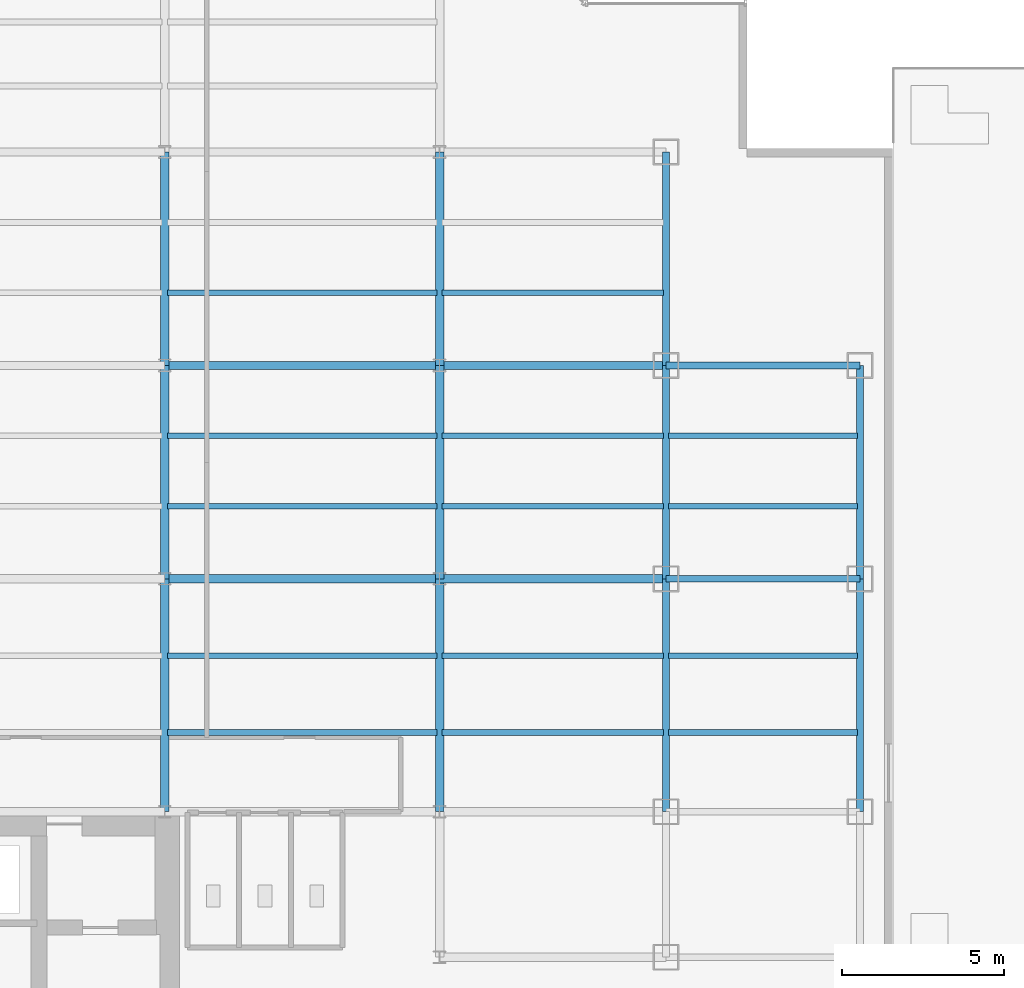
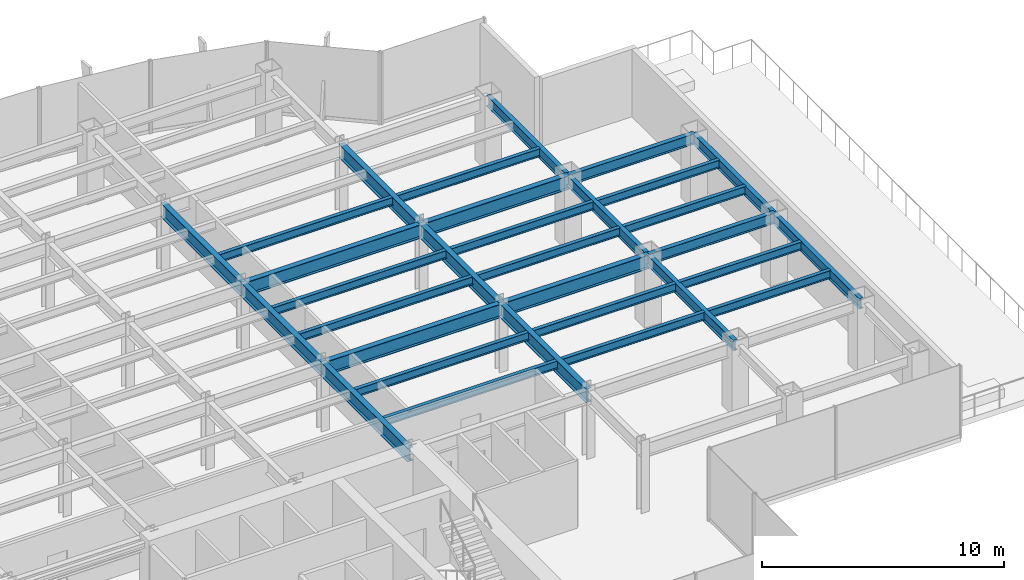
# One storey, part 11 of 25: 31 beams.
"""IFC4 building model written with IfcOpenShell, lengths in metres."""

import ifcopenshell
import ifcopenshell.guid

model = None  # the IFC model being written
_history = None  # IfcOwnerHistory: only IFC2X3 demands one
_inside = {}  # id of a spatial element -> (the spatial element, [elements in it])
_under = {}  # id of a project, library or spatial element -> (it, [spatial elements below it])
_declared = {}  # id of a project -> (the project, [libraries it declares])
_typed = {}  # id of a type object -> (the type object, [elements of that type])
_made_of = {}  # id of a material, layer set ... -> (it, [elements and type objects made of it])


def new_model(schema):
    """Start an empty IFC model of exactly this schema.

    Asked for "IFC4X3", IfcOpenShell would pick the latest addendum, in which some entities
    have other attributes; the version numbers below select the first issue.
    IFC2X3 requires an IfcOwnerHistory on every rooted entity: one is made here for all.
    """
    global model, _history
    if schema == "IFC4X3":
        model = ifcopenshell.file(schema_version=(4, 3, 0, 0))
    else:
        model = ifcopenshell.file(schema=schema)
    _inside.clear()
    _under.clear()
    _declared.clear()
    _typed.clear()
    _made_of.clear()
    _history = None
    if model.schema == "IFC2X3":
        org = make("IfcOrganization", Name="unknown")
        user = make(
            "IfcPersonAndOrganization",
            ThePerson=make("IfcPerson", FamilyName="unknown"),
            TheOrganization=org,
        )
        app = make(
            "IfcApplication",
            ApplicationDeveloper=org,
            Version="unknown",
            ApplicationFullName="unknown",
            ApplicationIdentifier="unknown",
        )
        _history = make(
            "IfcOwnerHistory",
            OwningUser=user,
            OwningApplication=app,
            ChangeAction="ADDED",
            CreationDate=0,
        )
    return model


def make(cls, **values):
    """One entity of the class cls with the attributes given. An attribute that is None is left unset."""
    return model.create_entity(
        cls, **{name: value for name, value in values.items() if value is not None}
    )


def rooted(cls, **values):
    """An entity with a GlobalId (a new one), such as an element, a storey or a relation."""
    return make(cls, GlobalId=ifcopenshell.guid.new(), OwnerHistory=_history, **values)


def si_unit(unit_type, name, prefix=None):
    """IfcSIUnit, for example si_unit("LENGTHUNIT", "METRE", prefix="MILLI")."""
    return make("IfcSIUnit", UnitType=unit_type, Prefix=prefix, Name=name)


def derived_unit(unit_type, elements):
    """IfcDerivedUnit: a product of units, each with its exponent."""
    return make(
        "IfcDerivedUnit",
        Elements=[
            make("IfcDerivedUnitElement", Unit=unit, Exponent=power)
            for unit, power in elements
        ],
        UnitType=unit_type,
    )


def assignment(units):
    """IfcUnitAssignment: the units of a project."""
    return None if units is None else make("IfcUnitAssignment", Units=units)


def point(xyz):
    """IfcCartesianPoint."""
    return None if xyz is None else make("IfcCartesianPoint", Coordinates=xyz)


def direction(xyz):
    """IfcDirection."""
    return None if xyz is None else make("IfcDirection", DirectionRatios=xyz)


def frame(location, z_axis=None, x_axis=None):
    """IfcAxis2Placement3D, a coordinate frame: its origin and axes. An axis left out is left unset."""
    return make(
        "IfcAxis2Placement3D",
        Location=point(location),
        Axis=direction(z_axis),
        RefDirection=direction(x_axis),
    )


def frame_2d(location, x_axis=None):
    """IfcAxis2Placement2D, a coordinate frame in the plane: its origin and x axis."""
    return make(
        "IfcAxis2Placement2D", Location=point(location), RefDirection=direction(x_axis)
    )


def origin():
    """The frame at (0, 0, 0) with its axes left unset."""
    return frame((0.0, 0.0, 0.0))


def origin_2d():
    """The frame at (0, 0) in the plane with its x axis left unset."""
    return frame_2d((0.0, 0.0))


def place(relative_to, where):
    """IfcLocalPlacement: puts the frame where relative to a parent placement (None: the world)."""
    return make(
        "IfcLocalPlacement", PlacementRelTo=relative_to, RelativePlacement=where
    )


def context(
    kind, dimensions, precision=None, world=None, true_north=None, identifier=None
):
    """IfcGeometricRepresentationContext, for example the 3D "Model" context."""
    return make(
        "IfcGeometricRepresentationContext",
        ContextIdentifier=identifier,
        ContextType=kind,
        CoordinateSpaceDimension=dimensions,
        Precision=precision,
        WorldCoordinateSystem=world,
        TrueNorth=true_north,
    )


def subcontext(parent, identifier, kind, view, scale=None):
    """IfcGeometricRepresentationSubContext, for example "Body" below "Model"."""
    return make(
        "IfcGeometricRepresentationSubContext",
        ContextIdentifier=identifier,
        ContextType=kind,
        ParentContext=parent,
        TargetScale=scale,
        TargetView=view,
    )


def project(units=None, contexts=None):
    """IfcProject with its units and contexts."""
    return rooted(
        "IfcProject",
        Name="project",
        RepresentationContexts=contexts,
        UnitsInContext=assignment(units),
    )


def spatial(cls, under=None, at=None, **own):
    """A site, building, storey or space (cls), placed at a placement, below another one or the project."""
    s = rooted(cls, ObjectPlacement=at, **own)
    if under is not None:
        _under.setdefault(under.id(), (under, []))[1].append(s)
    return s


def profile(cls, at=None, kind="AREA", **sizes):
    """A parametric profile (cls). Its sizes go by their IFC names, for example OverallWidth=200.0."""
    return make(cls, ProfileType=kind, Position=at, **sizes)


def i_section(**sizes):
    """IfcIShapeProfileDef."""
    return profile("IfcIShapeProfileDef", **sizes)


def extrude(swept, where, along, depth):
    """IfcExtrudedAreaSolid: the profile swept, set in the frame where, extruded along a direction by depth."""
    return make(
        "IfcExtrudedAreaSolid",
        SweptArea=swept,
        Position=where,
        ExtrudedDirection=direction(along),
        Depth=depth,
    )


def shape(context_of_items, identifier, shape_type, items):
    """IfcShapeRepresentation: the items that make up one representation, for example the "Body"."""
    return make(
        "IfcShapeRepresentation",
        ContextOfItems=context_of_items,
        RepresentationIdentifier=identifier,
        RepresentationType=shape_type,
        Items=items,
    )


def source(mapping_origin, context_of_items, identifier, shape_type, items):
    """IfcRepresentationMap: a shape defined once, which mapped items show again and again."""
    return make(
        "IfcRepresentationMap",
        MappingOrigin=mapping_origin,
        MappedRepresentation=shape(context_of_items, identifier, shape_type, items),
    )


def transform(
    local_origin,
    x_axis=None,
    y_axis=None,
    z_axis=None,
    scale=None,
    scale2=None,
    scale3=None,
    uniform=True,
):
    """IfcCartesianTransformationOperator3D, or its non-uniform kind. x_axis, y_axis, z_axis: its Axis1, 2, 3."""
    if uniform:
        return make(
            "IfcCartesianTransformationOperator3D",
            Axis1=direction(x_axis),
            Axis2=direction(y_axis),
            LocalOrigin=point(local_origin),
            Scale=scale,
            Axis3=direction(z_axis),
        )
    return make(
        "IfcCartesianTransformationOperator3DnonUniform",
        Axis1=direction(x_axis),
        Axis2=direction(y_axis),
        LocalOrigin=point(local_origin),
        Scale=scale,
        Axis3=direction(z_axis),
        Scale2=scale2,
        Scale3=scale3,
    )


def mapped(mapping_source, mapping_target):
    """IfcMappedItem: shows the shape of a source again, moved by a transform."""
    return make(
        "IfcMappedItem", MappingSource=mapping_source, MappingTarget=mapping_target
    )


def material(Name=None, Category=None):
    """IfcMaterial."""
    return make("IfcMaterial", Name=Name, Category=Category)


def material_profile(
    of_material, cross_section, Name=None, Category=None, Priority=None
):
    """IfcMaterialProfile: a cross section and its material."""
    return make(
        "IfcMaterialProfile",
        Name=Name,
        Material=of_material,
        Profile=cross_section,
        Priority=Priority,
        Category=Category,
    )


def profile_set(profiles, Name=None, composite=None):
    """IfcMaterialProfileSet."""
    return make(
        "IfcMaterialProfileSet",
        Name=Name,
        MaterialProfiles=profiles,
        CompositeProfile=composite,
    )


def made_of(thing, what):
    """Note that an element or type object is made of a material, layer set ...; save() writes the relation."""
    if what is not None:
        _made_of.setdefault(what.id(), (what, []))[1].append(thing)
    return thing


def type_object(cls, material=None, **own):
    """A type object (cls), such as IfcWallType, which elements share."""
    return made_of(rooted(cls, **own), material)


def element(
    cls,
    number,
    at=None,
    inside=None,
    cuts=None,
    type_object=None,
    material=None,
    context=None,
    identifier="Body",
    shape_type=None,
    held_by="IfcProductDefinitionShape",
    body=None,
    shapes=None,
    **own,
):
    """One element of the class cls, such as IfcWall. Its Tag is "e" and its number.

    at: its placement. inside: the storey or other place that contains it. cuts: it is an
    opening in that element (IfcRelVoidsElement). A single representation is given by context,
    identifier, shape_type and body (its items); several are given by shapes. held_by: the class
    of the entity that holds the representations. save() writes the other relations.
    """
    e = rooted(cls, Tag="e%d" % number, ObjectPlacement=at, **own)
    if body is not None:
        shapes = [shape(context, identifier, shape_type, body)]
    if shapes is not None:
        e.Representation = make(held_by, Representations=shapes)
    if inside is not None:
        _inside.setdefault(inside.id(), (inside, []))[1].append(e)
    if cuts is not None:
        rooted(
            "IfcRelVoidsElement", RelatingBuildingElement=cuts, RelatedOpeningElement=e
        )
    if type_object is not None:
        _typed.setdefault(type_object.id(), (type_object, []))[1].append(e)
    return made_of(e, material)


def aggregate(whole, parts):
    """IfcRelAggregates: a whole, such as a stair, and the parts it consists of."""
    return rooted("IfcRelAggregates", RelatingObject=whole, RelatedObjects=parts)


def save(model, path):
    """Write the relations noted so far, then the file.

    IfcRelAggregates (storeys below a building ...), IfcRelContainedInSpatialStructure (elements
    in a storey), IfcRelDefinesByType, IfcRelAssociatesMaterial and IfcRelDeclares: one each for
    every whole, place, type object, material and project.
    """
    for whole, parts in _under.values():
        aggregate(whole, parts)
    for where, things in _inside.values():
        rooted(
            "IfcRelContainedInSpatialStructure",
            RelatedElements=things,
            RelatingStructure=where,
        )
    for kind, things in _typed.values():
        rooted("IfcRelDefinesByType", RelatedObjects=things, RelatingType=kind)
    for what, things in _made_of.values():
        rooted("IfcRelAssociatesMaterial", RelatedObjects=things, RelatingMaterial=what)
    for by, libraries in _declared.values():
        rooted("IfcRelDeclares", RelatingContext=by, RelatedDefinitions=libraries)
    model.write(path)


model = new_model("IFC4")

# Units and contexts
model_context = context("Model", 3, precision=1e-05, world=origin(), true_north=direction((0.0, 1.0)))
body_context = subcontext(model_context, "Body", "Model", "MODEL_VIEW")
ifc_project = project(units=[si_unit("LENGTHUNIT", "METRE"), si_unit("AREAUNIT", "SQUARE_METRE"), si_unit("VOLUMEUNIT", "CUBIC_METRE"), si_unit("PLANEANGLEUNIT", "RADIAN"), si_unit("MASSUNIT", "GRAM", prefix="KILO"), derived_unit("THERMALTRANSMITTANCEUNIT", [(si_unit("POWERUNIT", "WATT"), 1), (si_unit("LENGTHUNIT", "METRE"), -2), (si_unit("THERMODYNAMICTEMPERATUREUNIT", "KELVIN"), -1)])], contexts=[model_context])

# Site, building, storey
site_placement = place(None, origin())
site = spatial("IfcSite", under=ifc_project, at=site_placement, CompositionType="ELEMENT")
building_placement = place(site_placement, origin())
building = spatial("IfcBuilding", under=site, at=building_placement, Name="Skarnbrae Concourse Arena and Tower", CompositionType="ELEMENT")
storey_placement = place(building_placement, frame((0.0, 0.0, 88.64990234375)))
storey = spatial("IfcBuildingStorey", under=building, at=storey_placement, Name="L21", CompositionType="ELEMENT", Elevation=88.64990234375)

# Beams
ifc_material = material(Name="Steel CSA G40.21 350W", Category="steel")
ifc_material_profile_1 = material_profile(ifc_material, i_section(OverallWidth=0.256103515625, OverallDepth=0.693115234375, WebThickness=0.014404296875, FlangeThickness=0.023681640625, at=origin_2d()), Name="W690X170")
ifc_profile_set_1 = profile_set([ifc_material_profile_1], Name="Steel CSA G40.21 350W")
beam_type_1 = type_object("IfcBeamType", Name="BM-GIRD-W690X170", PredefinedType="BEAM", material=ifc_profile_set_1)
shared_shape_1 = source(origin(), body_context, "Body", "SweptSolid", [
    extrude(i_section(OverallWidth=0.256103515625, OverallDepth=0.693115234375, WebThickness=0.014404296875, FlangeThickness=0.023681640625, at=origin_2d()), origin(), (0.0, 0.0, 1.0), 7.0),
])
for number, where, z_axis, x_axis, name in (
    (1, (42.0, 21.199951171875, 3.0537109375), (1.0, 0.0, 0.0), (0.0, 1.0, 0.0), "L21 Primary E-W girder Y21.2-7"),
    (2, (42.0, 27.800048828125, 3.0537109375), (1.0, 0.0, 0.0), (0.0, 1.0, 0.0), "L21 Primary E-W girder Y27.8-7"),
):
    element("IfcBeam", number, at=place(storey_placement, frame(where, z_axis=z_axis, x_axis=x_axis)), inside=storey, type_object=beam_type_1, Name=name, PredefinedType="BEAM", context=body_context, shape_type="MappedRepresentation", body=[
        mapped(shared_shape_1, transform((0.0, 0.0, 0.0))),
    ])
ifc_material_profile_2 = material_profile(ifc_material, i_section(OverallWidth=0.208984375, OverallDepth=0.532958984375, WebThickness=0.01025390625, FlangeThickness=0.015625, at=origin_2d()), Name="W530X92")
ifc_profile_set_2 = profile_set([ifc_material_profile_2], Name="Steel CSA G40.21 350W")
beam_type_2 = type_object("IfcBeamType", Name="BM-SPAN-W530X92", PredefinedType="SPANDREL", material=ifc_profile_set_2)
shared_shape_2 = source(origin(), body_context, "Body", "SweptSolid", [
    extrude(i_section(OverallWidth=0.208984375, OverallDepth=0.532958984375, WebThickness=0.01025390625, FlangeThickness=0.015625, at=origin_2d()), origin(), (0.0, 0.0, 1.0), 6.0),
])
for number, where, z_axis, x_axis, name in (
    (3, (49.0, 21.199951171875, 3.133544921875), (1.0, 0.0, 0.0), (0.0, 1.0, 0.0), "L21 Perimeter spandrel Y21.2-8"),
    (4, (49.0, 27.800048828125, 3.133544921875), (1.0, 0.0, 0.0), (0.0, 1.0, 0.0), "L21 Perimeter spandrel Y27.8-8"),
):
    element("IfcBeam", number, at=place(storey_placement, frame(where, z_axis=z_axis, x_axis=x_axis)), inside=storey, type_object=beam_type_2, Name=name, PredefinedType="SPANDREL", context=body_context, shape_type="MappedRepresentation", body=[
        mapped(shared_shape_2, transform((0.0, 0.0, 0.0))),
    ])
shared_shape_3 = source(origin(), body_context, "Body", "SweptSolid", [
    extrude(i_section(OverallWidth=0.256103515625, OverallDepth=0.693115234375, WebThickness=0.014404296875, FlangeThickness=0.023681640625, at=origin_2d()), origin(), (0.0, 0.0, 1.0), 6.60009765625),
])
for number, where, z_axis, x_axis, name in (
    (5, (33.5, 21.199951171875, 3.0537109375), (0.0, 1.0, 0.0), (-1.0, 0.0, 0.0), "L21 Primary N-S girder X33.5-2"),
    (6, (42.0, 21.199951171875, 3.0537109375), (0.0, 1.0, 0.0), (-1.0, 0.0, 0.0), "L21 Primary N-S girder X42.0-3"),
):
    element("IfcBeam", number, at=place(storey_placement, frame(where, z_axis=z_axis, x_axis=x_axis)), inside=storey, type_object=beam_type_1, Name=name, PredefinedType="BEAM", context=body_context, shape_type="MappedRepresentation", body=[
        mapped(shared_shape_3, transform((0.0, 0.0, 0.0))),
    ])
shared_shape_4 = source(origin(), body_context, "Body", "SweptSolid", [
    extrude(i_section(OverallWidth=0.256103515625, OverallDepth=0.693115234375, WebThickness=0.014404296875, FlangeThickness=0.023681640625, at=origin_2d()), origin(), (0.0, 0.0, 1.0), 8.5),
])
for number, where, z_axis, x_axis, name in (
    (7, (33.5, 21.199951171875, 3.0537109375), (1.0, 0.0, 0.0), (0.0, 1.0, 0.0), "L21 Primary E-W girder Y21.2-6"),
    (8, (33.5, 27.800048828125, 3.0537109375), (1.0, 0.0, 0.0), (0.0, 1.0, 0.0), "L21 Primary E-W girder Y27.8-6"),
):
    element("IfcBeam", number, at=place(storey_placement, frame(where, z_axis=z_axis, x_axis=x_axis)), inside=storey, type_object=beam_type_1, Name=name, PredefinedType="BEAM", context=body_context, shape_type="MappedRepresentation", body=[
        mapped(shared_shape_4, transform((0.0, 0.0, 0.0))),
    ])
shared_shape_5 = source(origin(), body_context, "Body", "SweptSolid", [
    extrude(i_section(OverallWidth=0.208984375, OverallDepth=0.532958984375, WebThickness=0.01025390625, FlangeThickness=0.015625, at=origin_2d()), origin(), (0.0, 0.0, 1.0), 7.199951171875),
])
for number, where, z_axis, x_axis, name in (
    (9, (49.0, 14.0, 3.133544921875), (0.0, 1.0, 0.0), (-1.0, 0.0, 0.0), "L21 Perimeter spandrel X49.0-2"),
    (10, (55.0, 14.0, 3.133544921875), (0.0, 1.0, 0.0), (-1.0, 0.0, 0.0), "L21 Perimeter spandrel X55.0-2"),
):
    element("IfcBeam", number, at=place(storey_placement, frame(where, z_axis=z_axis, x_axis=x_axis)), inside=storey, type_object=beam_type_2, Name=name, PredefinedType="SPANDREL", context=body_context, shape_type="MappedRepresentation", body=[
        mapped(shared_shape_5, transform((0.0, 0.0, 0.0))),
    ])
shared_shape_6 = source(origin(), body_context, "Body", "SweptSolid", [
    extrude(i_section(OverallWidth=0.208984375, OverallDepth=0.532958984375, WebThickness=0.01025390625, FlangeThickness=0.015625, at=origin_2d()), origin(), (0.0, 0.0, 1.0), 6.60009765625),
])
for number, where, z_axis, x_axis, name in (
    (11, (49.0, 21.199951171875, 3.133544921875), (0.0, 1.0, 0.0), (-1.0, 0.0, 0.0), "L21 Perimeter spandrel X49.0-3"),
    (12, (55.0, 21.199951171875, 3.133544921875), (0.0, 1.0, 0.0), (-1.0, 0.0, 0.0), "L21 Perimeter spandrel X55.0-3"),
):
    element("IfcBeam", number, at=place(storey_placement, frame(where, z_axis=z_axis, x_axis=x_axis)), inside=storey, type_object=beam_type_2, Name=name, PredefinedType="SPANDREL", context=body_context, shape_type="MappedRepresentation", body=[
        mapped(shared_shape_6, transform((0.0, 0.0, 0.0))),
    ])
shared_shape_7 = source(origin(), body_context, "Body", "SweptSolid", [
    extrude(i_section(OverallWidth=0.256103515625, OverallDepth=0.693115234375, WebThickness=0.014404296875, FlangeThickness=0.023681640625, at=origin_2d()), origin(), (0.0, 0.0, 1.0), 7.199951171875),
])
for number, where, z_axis, x_axis, name in (
    (13, (33.5, 14.0, 3.0537109375), (0.0, 1.0, 0.0), (-1.0, 0.0, 0.0), "L21 Primary N-S girder X33.5-1"),
    (14, (42.0, 14.0, 3.0537109375), (0.0, 1.0, 0.0), (-1.0, 0.0, 0.0), "L21 Primary N-S girder X42.0-2"),
):
    element("IfcBeam", number, at=place(storey_placement, frame(where, z_axis=z_axis, x_axis=x_axis)), inside=storey, type_object=beam_type_1, Name=name, PredefinedType="BEAM", context=body_context, shape_type="MappedRepresentation", body=[
        mapped(shared_shape_7, transform((0.0, 0.0, 0.0))),
    ])
shared_shape_8 = source(origin(), body_context, "Body", "SweptSolid", [
    extrude(i_section(OverallWidth=0.256103515625, OverallDepth=0.693115234375, WebThickness=0.014404296875, FlangeThickness=0.023681640625, at=origin_2d()), origin(), (0.0, 0.0, 1.0), 6.599853515625),
])
for number, where, z_axis, x_axis, name in (
    (15, (33.5, 27.800048828125, 3.0537109375), (0.0, 1.0, 0.0), (-1.0, 0.0, 0.0), "L21 Primary N-S girder X33.5-3"),
    (16, (42.0, 27.800048828125, 3.0537109375), (0.0, 1.0, 0.0), (-1.0, 0.0, 0.0), "L21 Primary N-S girder X42.0-4"),
):
    element("IfcBeam", number, at=place(storey_placement, frame(where, z_axis=z_axis, x_axis=x_axis)), inside=storey, type_object=beam_type_1, Name=name, PredefinedType="BEAM", context=body_context, shape_type="MappedRepresentation", body=[
        mapped(shared_shape_8, transform((0.0, 0.0, 0.0))),
    ])
shared_shape_9 = source(origin(), body_context, "Body", "SweptSolid", [
    extrude(i_section(OverallWidth=0.208984375, OverallDepth=0.532958984375, WebThickness=0.01025390625, FlangeThickness=0.015625, at=origin_2d()), origin(), (0.0, 0.0, 1.0), 6.599853515625),
])
beam_placement = place(storey_placement, frame((49.0, 27.800048828125, 3.133544921875), z_axis=(0.0, 1.0, 0.0), x_axis=(-1.0, 0.0, 0.0)))
element("IfcBeam", 17, at=beam_placement, inside=storey, type_object=beam_type_2, Name="L21 Perimeter spandrel X49.0-4", PredefinedType="SPANDREL", context=body_context, shape_type="MappedRepresentation", body=[
    mapped(shared_shape_9, transform((0.0, 0.0, 0.0))),
])
ifc_material_profile_3 = material_profile(ifc_material, i_section(OverallWidth=0.177978515625, OverallDepth=0.406982421875, WebThickness=0.0078125, FlangeThickness=0.0126953125, at=origin_2d()), Name="W410X60")
ifc_profile_set_3 = profile_set([ifc_material_profile_3], Name="Steel CSA G40.21 350W")
beam_type_3 = type_object("IfcBeamType", Name="BM-JOIST-W410X60", PredefinedType="JOIST", material=ifc_profile_set_3)
shared_shape_10 = source(origin(), body_context, "Body", "SweptSolid", [
    extrude(i_section(OverallWidth=0.177978515625, OverallDepth=0.406982421875, WebThickness=0.0078125, FlangeThickness=0.0126953125, at=origin_2d()), origin(), (0.0, 0.0, 1.0), 8.33984375),
])
for number, where, z_axis, x_axis, name in (
    (18, (33.580078125, 16.447998046875, 3.196533203125), (1.0, 0.0, 0.0), (0.0, 1.0, 0.0), "L21 Secondary floor joist 1.1.6"),
    (19, (33.580078125, 18.823974609375, 3.196533203125), (1.0, 0.0, 0.0), (0.0, 1.0, 0.0), "L21 Secondary floor joist 1.2.6"),
    (20, (33.580078125, 23.444091796875, 3.196533203125), (1.0, 0.0, 0.0), (0.0, 1.0, 0.0), "L21 Secondary floor joist 2.1.6"),
    (21, (33.580078125, 25.6220703125, 3.196533203125), (1.0, 0.0, 0.0), (0.0, 1.0, 0.0), "L21 Secondary floor joist 2.2.6"),
    (22, (33.580078125, 30.0439453125, 3.196533203125), (1.0, 0.0, 0.0), (0.0, 1.0, 0.0), "L21 Secondary floor joist 3.1.5"),
):
    element("IfcBeam", number, at=place(storey_placement, frame(where, z_axis=z_axis, x_axis=x_axis)), inside=storey, type_object=beam_type_3, Name=name, PredefinedType="JOIST", context=body_context, shape_type="MappedRepresentation", body=[
        mapped(shared_shape_10, transform((0.0, 0.0, 0.0))),
    ])
shared_shape_11 = source(origin(), body_context, "Body", "SweptSolid", [
    extrude(i_section(OverallWidth=0.177978515625, OverallDepth=0.406982421875, WebThickness=0.0078125, FlangeThickness=0.0126953125, at=origin_2d()), origin(), (0.0, 0.0, 1.0), 6.83984375),
])
for number, where, z_axis, x_axis, name in (
    (23, (42.080078125, 16.447998046875, 3.196533203125), (1.0, 0.0, 0.0), (0.0, 1.0, 0.0), "L21 Secondary floor joist 1.1.7"),
    (24, (42.080078125, 18.823974609375, 3.196533203125), (1.0, 0.0, 0.0), (0.0, 1.0, 0.0), "L21 Secondary floor joist 1.2.7"),
    (25, (42.080078125, 23.444091796875, 3.196533203125), (1.0, 0.0, 0.0), (0.0, 1.0, 0.0), "L21 Secondary floor joist 2.1.7"),
    (26, (42.080078125, 25.6220703125, 3.196533203125), (1.0, 0.0, 0.0), (0.0, 1.0, 0.0), "L21 Secondary floor joist 2.2.7"),
    (27, (42.080078125, 30.0439453125, 3.196533203125), (1.0, 0.0, 0.0), (0.0, 1.0, 0.0), "L21 Secondary floor joist 3.1.6"),
):
    element("IfcBeam", number, at=place(storey_placement, frame(where, z_axis=z_axis, x_axis=x_axis)), inside=storey, type_object=beam_type_3, Name=name, PredefinedType="JOIST", context=body_context, shape_type="MappedRepresentation", body=[
        mapped(shared_shape_11, transform((0.0, 0.0, 0.0))),
    ])
shared_shape_12 = source(origin(), body_context, "Body", "SweptSolid", [
    extrude(i_section(OverallWidth=0.177978515625, OverallDepth=0.406982421875, WebThickness=0.0078125, FlangeThickness=0.0126953125, at=origin_2d()), origin(), (0.0, 0.0, 1.0), 5.83984375),
])
for number, where, z_axis, x_axis, name in (
    (28, (49.080078125, 16.447998046875, 3.196533203125), (1.0, 0.0, 0.0), (0.0, 1.0, 0.0), "L21 Secondary floor joist 1.1.8"),
    (29, (49.080078125, 18.823974609375, 3.196533203125), (1.0, 0.0, 0.0), (0.0, 1.0, 0.0), "L21 Secondary floor joist 1.2.8"),
    (30, (49.080078125, 23.444091796875, 3.196533203125), (1.0, 0.0, 0.0), (0.0, 1.0, 0.0), "L21 Secondary floor joist 2.1.8"),
    (31, (49.080078125, 25.6220703125, 3.196533203125), (1.0, 0.0, 0.0), (0.0, 1.0, 0.0), "L21 Secondary floor joist 2.2.8"),
):
    element("IfcBeam", number, at=place(storey_placement, frame(where, z_axis=z_axis, x_axis=x_axis)), inside=storey, type_object=beam_type_3, Name=name, PredefinedType="JOIST", context=body_context, shape_type="MappedRepresentation", body=[
        mapped(shared_shape_12, transform((0.0, 0.0, 0.0))),
    ])

save(model, "model.ifc")
